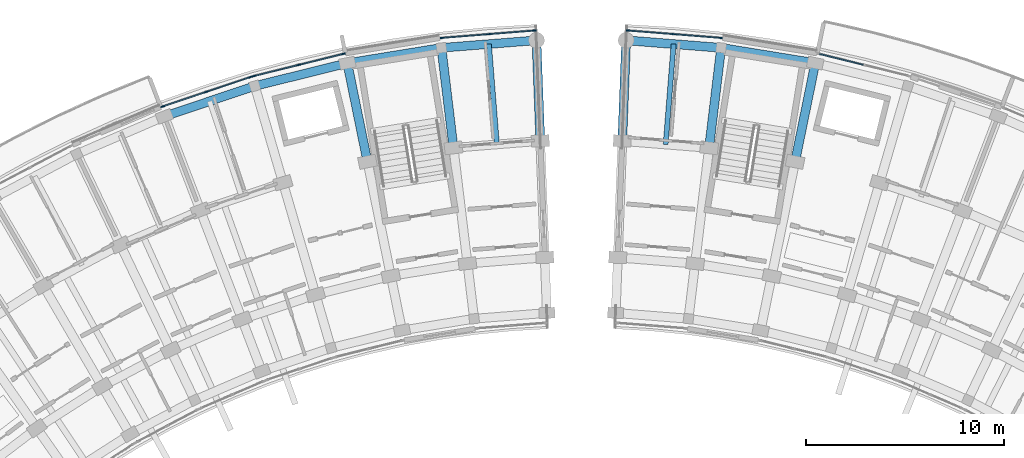
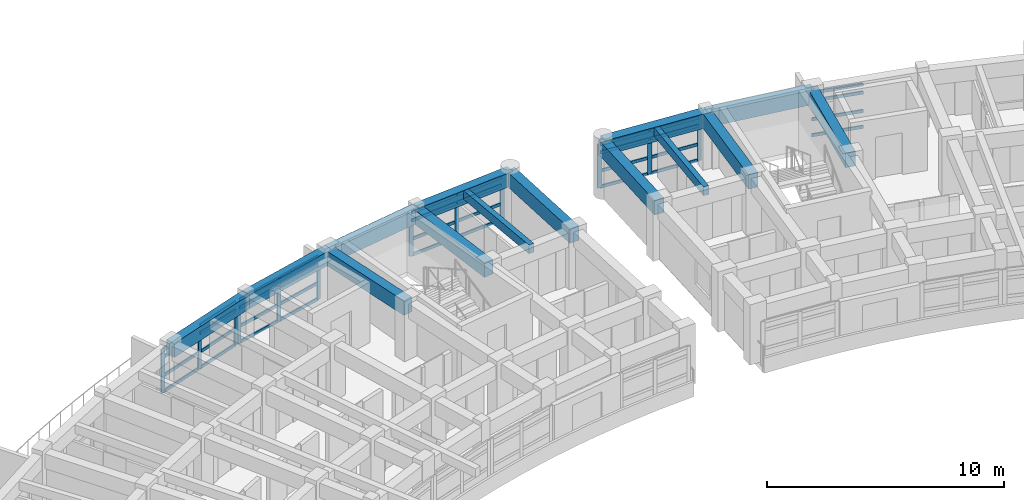
# One storey, part 19 of 70: 48 members, 14 beams, 5 elements without a shape of their own.
"""IFC4 building model written with IfcOpenShell, lengths in metres."""

import ifcopenshell
import ifcopenshell.guid

model = None  # the IFC model being written
_history = None  # IfcOwnerHistory: only IFC2X3 demands one
_inside = {}  # id of a spatial element -> (the spatial element, [elements in it])
_under = {}  # id of a project, library or spatial element -> (it, [spatial elements below it])
_declared = {}  # id of a project -> (the project, [libraries it declares])
_typed = {}  # id of a type object -> (the type object, [elements of that type])
_made_of = {}  # id of a material, layer set ... -> (it, [elements and type objects made of it])


def new_model(schema):
    """Start an empty IFC model of exactly this schema.

    Asked for "IFC4X3", IfcOpenShell would pick the latest addendum, in which some entities
    have other attributes; the version numbers below select the first issue.
    IFC2X3 requires an IfcOwnerHistory on every rooted entity: one is made here for all.
    """
    global model, _history
    if schema == "IFC4X3":
        model = ifcopenshell.file(schema_version=(4, 3, 0, 0))
    else:
        model = ifcopenshell.file(schema=schema)
    _inside.clear()
    _under.clear()
    _declared.clear()
    _typed.clear()
    _made_of.clear()
    _history = None
    if model.schema == "IFC2X3":
        org = make("IfcOrganization", Name="unknown")
        user = make(
            "IfcPersonAndOrganization",
            ThePerson=make("IfcPerson", FamilyName="unknown"),
            TheOrganization=org,
        )
        app = make(
            "IfcApplication",
            ApplicationDeveloper=org,
            Version="unknown",
            ApplicationFullName="unknown",
            ApplicationIdentifier="unknown",
        )
        _history = make(
            "IfcOwnerHistory",
            OwningUser=user,
            OwningApplication=app,
            ChangeAction="ADDED",
            CreationDate=0,
        )
    return model


def make(cls, **values):
    """One entity of the class cls with the attributes given. An attribute that is None is left unset."""
    return model.create_entity(
        cls, **{name: value for name, value in values.items() if value is not None}
    )


def rooted(cls, **values):
    """An entity with a GlobalId (a new one), such as an element, a storey or a relation."""
    return make(cls, GlobalId=ifcopenshell.guid.new(), OwnerHistory=_history, **values)


def si_unit(unit_type, name, prefix=None):
    """IfcSIUnit, for example si_unit("LENGTHUNIT", "METRE", prefix="MILLI")."""
    return make("IfcSIUnit", UnitType=unit_type, Prefix=prefix, Name=name)


def assignment(units):
    """IfcUnitAssignment: the units of a project."""
    return None if units is None else make("IfcUnitAssignment", Units=units)


def point(xyz):
    """IfcCartesianPoint."""
    return None if xyz is None else make("IfcCartesianPoint", Coordinates=xyz)


def direction(xyz):
    """IfcDirection."""
    return None if xyz is None else make("IfcDirection", DirectionRatios=xyz)


def frame(location, z_axis=None, x_axis=None):
    """IfcAxis2Placement3D, a coordinate frame: its origin and axes. An axis left out is left unset."""
    return make(
        "IfcAxis2Placement3D",
        Location=point(location),
        Axis=direction(z_axis),
        RefDirection=direction(x_axis),
    )


def frame_2d(location, x_axis=None):
    """IfcAxis2Placement2D, a coordinate frame in the plane: its origin and x axis."""
    return make(
        "IfcAxis2Placement2D", Location=point(location), RefDirection=direction(x_axis)
    )


def origin():
    """The frame at (0, 0, 0) with its axes left unset."""
    return frame((0.0, 0.0, 0.0))


def origin_2d():
    """The frame at (0, 0) in the plane with its x axis left unset."""
    return frame_2d((0.0, 0.0))


def place(relative_to, where):
    """IfcLocalPlacement: puts the frame where relative to a parent placement (None: the world)."""
    return make(
        "IfcLocalPlacement", PlacementRelTo=relative_to, RelativePlacement=where
    )


def context(
    kind, dimensions, precision=None, world=None, true_north=None, identifier=None
):
    """IfcGeometricRepresentationContext, for example the 3D "Model" context."""
    return make(
        "IfcGeometricRepresentationContext",
        ContextIdentifier=identifier,
        ContextType=kind,
        CoordinateSpaceDimension=dimensions,
        Precision=precision,
        WorldCoordinateSystem=world,
        TrueNorth=true_north,
    )


def subcontext(parent, identifier, kind, view, scale=None):
    """IfcGeometricRepresentationSubContext, for example "Body" below "Model"."""
    return make(
        "IfcGeometricRepresentationSubContext",
        ContextIdentifier=identifier,
        ContextType=kind,
        ParentContext=parent,
        TargetScale=scale,
        TargetView=view,
    )


def project(units=None, contexts=None):
    """IfcProject with its units and contexts."""
    return rooted(
        "IfcProject",
        Name="project",
        RepresentationContexts=contexts,
        UnitsInContext=assignment(units),
    )


def spatial(cls, under=None, at=None, **own):
    """A site, building, storey or space (cls), placed at a placement, below another one or the project."""
    s = rooted(cls, ObjectPlacement=at, **own)
    if under is not None:
        _under.setdefault(under.id(), (under, []))[1].append(s)
    return s


def profile(cls, at=None, kind="AREA", **sizes):
    """A parametric profile (cls). Its sizes go by their IFC names, for example OverallWidth=200.0."""
    return make(cls, ProfileType=kind, Position=at, **sizes)


def rectangle(**sizes):
    """IfcRectangleProfileDef."""
    return profile("IfcRectangleProfileDef", **sizes)


def extrude(swept, where, along, depth):
    """IfcExtrudedAreaSolid: the profile swept, set in the frame where, extruded along a direction by depth."""
    return make(
        "IfcExtrudedAreaSolid",
        SweptArea=swept,
        Position=where,
        ExtrudedDirection=direction(along),
        Depth=depth,
    )


def shape(context_of_items, identifier, shape_type, items):
    """IfcShapeRepresentation: the items that make up one representation, for example the "Body"."""
    return make(
        "IfcShapeRepresentation",
        ContextOfItems=context_of_items,
        RepresentationIdentifier=identifier,
        RepresentationType=shape_type,
        Items=items,
    )


def material(Name=None, Category=None):
    """IfcMaterial."""
    return make("IfcMaterial", Name=Name, Category=Category)


def material_profile(
    of_material, cross_section, Name=None, Category=None, Priority=None
):
    """IfcMaterialProfile: a cross section and its material."""
    return make(
        "IfcMaterialProfile",
        Name=Name,
        Material=of_material,
        Profile=cross_section,
        Priority=Priority,
        Category=Category,
    )


def profile_set(profiles, Name=None, composite=None):
    """IfcMaterialProfileSet."""
    return make(
        "IfcMaterialProfileSet",
        Name=Name,
        MaterialProfiles=profiles,
        CompositeProfile=composite,
    )


def made_of(thing, what):
    """Note that an element or type object is made of a material, layer set ...; save() writes the relation."""
    if what is not None:
        _made_of.setdefault(what.id(), (what, []))[1].append(thing)
    return thing


def type_object(cls, material=None, **own):
    """A type object (cls), such as IfcWallType, which elements share."""
    return made_of(rooted(cls, **own), material)


def element(
    cls,
    number,
    at=None,
    inside=None,
    cuts=None,
    type_object=None,
    material=None,
    context=None,
    identifier="Body",
    shape_type=None,
    held_by="IfcProductDefinitionShape",
    body=None,
    shapes=None,
    **own,
):
    """One element of the class cls, such as IfcWall. Its Tag is "e" and its number.

    at: its placement. inside: the storey or other place that contains it. cuts: it is an
    opening in that element (IfcRelVoidsElement). A single representation is given by context,
    identifier, shape_type and body (its items); several are given by shapes. held_by: the class
    of the entity that holds the representations. save() writes the other relations.
    """
    e = rooted(cls, Tag="e%d" % number, ObjectPlacement=at, **own)
    if body is not None:
        shapes = [shape(context, identifier, shape_type, body)]
    if shapes is not None:
        e.Representation = make(held_by, Representations=shapes)
    if inside is not None:
        _inside.setdefault(inside.id(), (inside, []))[1].append(e)
    if cuts is not None:
        rooted(
            "IfcRelVoidsElement", RelatingBuildingElement=cuts, RelatedOpeningElement=e
        )
    if type_object is not None:
        _typed.setdefault(type_object.id(), (type_object, []))[1].append(e)
    return made_of(e, material)


def aggregate(whole, parts):
    """IfcRelAggregates: a whole, such as a stair, and the parts it consists of."""
    return rooted("IfcRelAggregates", RelatingObject=whole, RelatedObjects=parts)


def save(model, path):
    """Write the relations noted so far, then the file.

    IfcRelAggregates (storeys below a building ...), IfcRelContainedInSpatialStructure (elements
    in a storey), IfcRelDefinesByType, IfcRelAssociatesMaterial and IfcRelDeclares: one each for
    every whole, place, type object, material and project.
    """
    for whole, parts in _under.values():
        aggregate(whole, parts)
    for where, things in _inside.values():
        rooted(
            "IfcRelContainedInSpatialStructure",
            RelatedElements=things,
            RelatingStructure=where,
        )
    for kind, things in _typed.values():
        rooted("IfcRelDefinesByType", RelatedObjects=things, RelatingType=kind)
    for what, things in _made_of.values():
        rooted("IfcRelAssociatesMaterial", RelatedObjects=things, RelatingMaterial=what)
    for by, libraries in _declared.values():
        rooted("IfcRelDeclares", RelatingContext=by, RelatedDefinitions=libraries)
    model.write(path)


model = new_model("IFC4")

# Units and contexts
model_context = context("Model", 3, precision=1e-05, world=origin(), true_north=direction((0.0, 1.0)))
body_context = subcontext(model_context, "Body", "Model", "MODEL_VIEW")
ifc_project = project(units=[si_unit("LENGTHUNIT", "METRE"), si_unit("AREAUNIT", "SQUARE_METRE"), si_unit("VOLUMEUNIT", "CUBIC_METRE"), si_unit("PLANEANGLEUNIT", "RADIAN"), si_unit("MASSUNIT", "GRAM", prefix="KILO")], contexts=[model_context])

# Site, building, storey
site_placement = place(None, origin())
site = spatial("IfcSite", under=ifc_project, at=site_placement, CompositionType="ELEMENT")
building_placement = place(site_placement, origin())
building = spatial("IfcBuilding", under=site, at=building_placement, Name="Zimvara Arc Housing Community", CompositionType="ELEMENT")
storey_placement = place(building_placement, frame((0.0, 0.0, 8.10009765625)))
storey = spatial("IfcBuildingStorey", under=building, at=storey_placement, Name="L02", CompositionType="ELEMENT", Elevation=8.10009765625)

# Beams
ifc_material_1 = material(Name="Concrete C40/50", Category="concrete")
ifc_material_profile_1 = material_profile(ifc_material_1, rectangle(XDim=0.25, YDim=0.449951171875, at=origin_2d()), Name="RC 250x450")
ifc_profile_set_1 = profile_set([ifc_material_profile_1], Name="Concrete C40/50")
beam_type_1 = type_object("IfcBeamType", Name="BM-RC-250x450", PredefinedType="JOIST", material=ifc_profile_set_1)
for number, where, z_axis, x_axis, name in (
    (1, (40.7451171875, 98.08642578125, 2.65478515625), (-0.079171686291, 0.99686099537, 0.0), (-0.99686099537, -0.079171686291, 0.0), "bm:blkA:L02:joist:b9"),
    (2, (49.2548828125, 98.08642578125, 2.65478515625), (0.079171686291, 0.99686099537, 0.0), (-0.99686099537, 0.079171686291, 0.0), "bm:blkB:L02:joist:b0"),
):
    element("IfcBeam", number, at=place(storey_placement, frame(where, z_axis=z_axis, x_axis=x_axis)), inside=storey, type_object=beam_type_1, Name=name, PredefinedType="JOIST", context=body_context, shape_type="SweptSolid", body=[
        extrude(rectangle(XDim=0.25, YDim=0.449951171875, at=origin_2d()), origin(), (0.0, 0.0, 1.0), 5.07568359375),
    ])
ifc_material_2 = material(Name="Concrete C40/50", Category="concrete")
ifc_material_profile_2 = material_profile(ifc_material_2, rectangle(XDim=0.43994140625, YDim=0.719970703125, at=origin_2d()), Name="RC 440x720")
ifc_profile_set_2 = profile_set([ifc_material_profile_2], Name="Concrete C40/50")
beam_type_2 = type_object("IfcBeamType", Name="BM-RC-440x720", PredefinedType="BEAM", material=ifc_profile_set_2)
beam_1_placement = place(storey_placement, frame((23.97607421875, 99.49853515625, 2.52001953125), z_axis=(0.947877948153, 0.31863363822, 0.0), x_axis=(-0.31863363822, 0.947877948153, 0.0)))
element("IfcBeam", 3, at=beam_1_placement, inside=storey, type_object=beam_type_2, Name="bm:blkA:L02:chord:r3:b6", PredefinedType="BEAM", context=body_context, shape_type="SweptSolid", body=[
    extrude(rectangle(XDim=0.43994140625, YDim=0.719970703125, at=origin_2d()), origin(), (0.0, 0.0, 1.0), 4.807861328125),
])
beam_2_placement = place(storey_placement, frame((28.533447265625, 101.030517578125, 2.52001953125), z_axis=(0.970716235341, 0.240229037474, 0.0), x_axis=(-0.240229037474, 0.970716235341, 0.0)))
element("IfcBeam", 4, at=beam_2_placement, inside=storey, type_object=beam_type_2, Name="bm:blkA:L02:chord:r3:b7", PredefinedType="BEAM", context=body_context, shape_type="SweptSolid", body=[
    extrude(rectangle(XDim=0.43994140625, YDim=0.719970703125, at=origin_2d()), origin(), (0.0, 0.0, 1.0), 4.80810546875),
])
beam_3_placement = place(storey_placement, frame((33.20068359375, 102.185546875, 2.52001953125), z_axis=(0.987076839731, 0.160247659784, 0.0), x_axis=(-0.160247659784, 0.987076839731, 0.0)))
element("IfcBeam", 5, at=beam_3_placement, inside=storey, type_object=beam_type_2, Name="bm:blkA:L02:chord:r3:b8", PredefinedType="BEAM", context=body_context, shape_type="SweptSolid", body=[
    extrude(rectangle(XDim=0.43994140625, YDim=0.719970703125, at=origin_2d()), origin(), (0.0, 0.0, 1.0), 4.808349609375),
])
beam_4_placement = place(storey_placement, frame((37.94677734375, 102.9560546875, 2.52001953125), z_axis=(0.996861768207, 0.0791619548, 0.0), x_axis=(-0.0791619548, 0.996861768207, 0.0)))
element("IfcBeam", 6, at=beam_4_placement, inside=storey, type_object=beam_type_2, Name="bm:blkA:L02:chord:r3:b9", PredefinedType="BEAM", context=body_context, shape_type="SweptSolid", body=[
    extrude(rectangle(XDim=0.43994140625, YDim=0.719970703125, at=origin_2d()), origin(), (0.0, 0.0, 1.0), 4.80810546875),
])
ifc_material_3 = material(Name="Concrete C40/50", Category="concrete")
ifc_material_profile_3 = material_profile(ifc_material_3, rectangle(XDim=0.449951171875, YDim=0.75, at=origin_2d()), Name="RC 450x750")
ifc_profile_set_3 = profile_set([ifc_material_profile_3], Name="Concrete C40/50")
beam_type_3 = type_object("IfcBeamType", Name="BM-RC-450x750", PredefinedType="BEAM", material=ifc_profile_set_3)
beam_5_placement = place(storey_placement, frame((34.21875, 97.208740234375, 2.5048828125), z_axis=(-0.200411962389, 0.97971171542, 0.0), x_axis=(-0.97971171542, -0.200411962389, 0.0)))
element("IfcBeam", 7, at=beam_5_placement, inside=storey, type_object=beam_type_3, Name="bm:blkA:L02:rad:b8:r23", PredefinedType="BEAM", context=body_context, shape_type="SweptSolid", body=[
    extrude(rectangle(XDim=0.449951171875, YDim=0.75, at=origin_2d()), origin(), (0.0, 0.0, 1.0), 5.079833984375),
])
for number, where, z_axis, x_axis, name in (
    (8, (38.55517578125, 97.91259765625, 2.5048828125), (-0.119762990499, 0.99280251113, 0.0), (-0.99280251113, -0.119762990499, 0.0), "bm:blkA:L02:rad:b9:r23"),
    (9, (42.934814453125, 98.26025390625, 2.5048828125), (-0.038398054907, 0.999262522753, 0.0), (-0.999262522753, -0.038398054907, 0.0), "bm:blkA:L02:rad:b10:r23"),
):
    element("IfcBeam", number, at=place(storey_placement, frame(where, z_axis=z_axis, x_axis=x_axis)), inside=storey, type_object=beam_type_3, Name=name, PredefinedType="BEAM", context=body_context, shape_type="SweptSolid", body=[
        extrude(rectangle(XDim=0.449951171875, YDim=0.75, at=origin_2d()), origin(), (0.0, 0.0, 1.0), 5.080078125),
    ])
beam_6_placement = place(storey_placement, frame((47.26025390625, 103.336669921875, 2.5048828125), z_axis=(0.996861768207, -0.0791619548, 0.0), x_axis=(0.0791619548, 0.996861768207, 0.0)))
element("IfcBeam", 10, at=beam_6_placement, inside=storey, type_object=beam_type_3, Name="bm:blkB:L02:chord:r3:b0", PredefinedType="BEAM", context=body_context, shape_type="SweptSolid", body=[
    extrude(rectangle(XDim=0.449951171875, YDim=0.75, at=origin_2d()), origin(), (0.0, 0.0, 1.0), 4.80810546875),
])
beam_7_placement = place(storey_placement, frame((52.05322265625, 102.9560546875, 2.5048828125), z_axis=(0.987076839731, -0.160247659784, 0.0), x_axis=(0.160247659784, 0.987076839731, 0.0)))
element("IfcBeam", 11, at=beam_7_placement, inside=storey, type_object=beam_type_3, Name="bm:blkB:L02:chord:r3:b1", PredefinedType="BEAM", context=body_context, shape_type="SweptSolid", body=[
    extrude(rectangle(XDim=0.449951171875, YDim=0.75, at=origin_2d()), origin(), (0.0, 0.0, 1.0), 4.808349609375),
])
for number, where, z_axis, x_axis, name in (
    (12, (47.065185546875, 98.26025390625, 2.5048828125), (0.038398054907, 0.999262522753, 0.0), (-0.999262522753, 0.038398054907, 0.0), "bm:blkB:L02:rad:b0:r23"),
    (13, (51.44482421875, 97.91259765625, 2.5048828125), (0.119762990499, 0.99280251113, 0.0), (-0.99280251113, 0.119762990499, 0.0), "bm:blkB:L02:rad:b1:r23"),
):
    element("IfcBeam", number, at=place(storey_placement, frame(where, z_axis=z_axis, x_axis=x_axis)), inside=storey, type_object=beam_type_3, Name=name, PredefinedType="BEAM", context=body_context, shape_type="SweptSolid", body=[
        extrude(rectangle(XDim=0.449951171875, YDim=0.75, at=origin_2d()), origin(), (0.0, 0.0, 1.0), 5.080078125),
    ])
beam_8_placement = place(storey_placement, frame((55.78125, 97.208740234375, 2.5048828125), z_axis=(0.200411962389, 0.97971171542, 0.0), x_axis=(-0.97971171542, 0.200411962389, 0.0)))
element("IfcBeam", 14, at=beam_8_placement, inside=storey, type_object=beam_type_3, Name="bm:blkB:L02:rad:b2:r23", PredefinedType="BEAM", context=body_context, shape_type="SweptSolid", body=[
    extrude(rectangle(XDim=0.449951171875, YDim=0.75, at=origin_2d()), origin(), (0.0, 0.0, 1.0), 5.079833984375),
])

# Curtain wall, members
ifc_material_4 = material(Name="Anodised Aluminium AW-6063", Category="aluminium")
curtain_wall_type_1 = type_object("IfcCurtainWallType", Name="CW-SYS-01", PredefinedType="USERDEFINED", material=ifc_material_4)
curtain_wall_1_placement = place(storey_placement, origin())
curtain_wall_1 = element("IfcCurtainWall", 15, at=curtain_wall_1_placement, inside=storey, type_object=curtain_wall_type_1, Name="cw:blkA:L02:out:b6", ObjectType="CURTAIN WALL", PredefinedType="USERDEFINED")
ifc_material_5 = material(Name="Anodised Aluminium AW-6063", Category="aluminium")
ifc_material_profile_4 = material_profile(ifc_material_5, rectangle(XDim=0.06494140625, YDim=0.195068359375, at=origin_2d()), Name="ALU 65x195")
ifc_profile_set_4 = profile_set([ifc_material_profile_4], Name="Anodised Aluminium AW-6063")
member_type_1 = type_object("IfcMemberType", Name="CWM-65x180", PredefinedType="MULLION", material=ifc_profile_set_4)
member_1_placement = place(storey_placement, frame((23.88525390625, 99.9951171875, 0.0), z_axis=(0.0, 0.0, 1.0), x_axis=(-0.318628583921, 0.947879647164, 0.0)))
member_1 = element("IfcMember", 16, at=member_1_placement, type_object=member_type_1, Name="CW01 mullion 1", PredefinedType="MULLION", context=body_context, shape_type="SweptSolid", body=[
    extrude(rectangle(XDim=0.06494140625, YDim=0.195068359375, at=origin_2d()), origin(), (0.0, 0.0, 1.0), 2.25),
])
member_2_placement = place(storey_placement, frame((26.095703125, 100.73828125, 0.0), z_axis=(0.0, 0.0, 1.0), x_axis=(-0.318628583921, 0.947879647164, 0.0)))
member_2 = element("IfcMember", 17, at=member_2_placement, type_object=member_type_1, Name="CW01 mullion 2", PredefinedType="MULLION", context=body_context, shape_type="SweptSolid", body=[
    extrude(rectangle(XDim=0.06494140625, YDim=0.195068359375, at=origin_2d()), origin(), (0.0, 0.0, 1.0), 2.25),
])
member_3_placement = place(storey_placement, frame((28.305908203125, 101.481201171875, 0.0), z_axis=(0.0, 0.0, 1.0), x_axis=(-0.318628583921, 0.947879647164, 0.0)))
member_3 = element("IfcMember", 18, at=member_3_placement, type_object=member_type_1, Name="CW01 mullion 3", PredefinedType="MULLION", context=body_context, shape_type="SweptSolid", body=[
    extrude(rectangle(XDim=0.06494140625, YDim=0.195068359375, at=origin_2d()), origin(), (0.0, 0.0, 1.0), 2.25),
])

ifc_material_6 = material(Name="Anodised Aluminium AW-6063", Category="aluminium")
curtain_wall_type_2 = type_object("IfcCurtainWallType", Name="CW-SYS-03", PredefinedType="USERDEFINED", material=ifc_material_6)
curtain_wall_2_placement = place(storey_placement, origin())
curtain_wall_2 = element("IfcCurtainWall", 19, at=curtain_wall_2_placement, inside=storey, type_object=curtain_wall_type_2, Name="cw:blkA:L02:out:b7", ObjectType="CURTAIN WALL", PredefinedType="USERDEFINED")
member_4_placement = place(storey_placement, frame((28.4833984375, 101.532958984375, 0.0), z_axis=(0.0, 0.0, 1.0), x_axis=(-0.240229711131, 0.970716068627, 0.0)))
member_4 = element("IfcMember", 20, at=member_4_placement, type_object=member_type_1, Name="CW03 mullion 1", PredefinedType="MULLION", context=body_context, shape_type="SweptSolid", body=[
    extrude(rectangle(XDim=0.06494140625, YDim=0.195068359375, at=origin_2d()), origin(), (0.0, 0.0, 1.0), 2.25),
])
member_5_placement = place(storey_placement, frame((30.7470703125, 102.093017578125, 0.0), z_axis=(0.0, 0.0, 1.0), x_axis=(-0.240229711131, 0.970716068627, 0.0)))
member_5 = element("IfcMember", 21, at=member_5_placement, type_object=member_type_1, Name="CW03 mullion 2", PredefinedType="MULLION", context=body_context, shape_type="SweptSolid", body=[
    extrude(rectangle(XDim=0.06494140625, YDim=0.195068359375, at=origin_2d()), origin(), (0.0, 0.0, 1.0), 2.25),
])
member_6_placement = place(storey_placement, frame((33.0107421875, 102.6533203125, 0.0), z_axis=(0.0, 0.0, 1.0), x_axis=(-0.240229711131, 0.970716068627, 0.0)))
member_6 = element("IfcMember", 22, at=member_6_placement, type_object=member_type_1, Name="CW03 mullion 3", PredefinedType="MULLION", context=body_context, shape_type="SweptSolid", body=[
    extrude(rectangle(XDim=0.06494140625, YDim=0.195068359375, at=origin_2d()), origin(), (0.0, 0.0, 1.0), 2.25),
])

ifc_material_7 = material(Name="Anodised Aluminium AW-6063", Category="aluminium")
curtain_wall_type_3 = type_object("IfcCurtainWallType", Name="CW-SYS-05", PredefinedType="USERDEFINED", material=ifc_material_7)
curtain_wall_3_placement = place(storey_placement, origin())
curtain_wall_3 = element("IfcCurtainWall", 23, at=curtain_wall_3_placement, inside=storey, type_object=curtain_wall_type_3, Name="cw:blkA:L02:out:b9", ObjectType="CURTAIN WALL", PredefinedType="USERDEFINED")
member_7_placement = place(storey_placement, frame((37.97900390625, 103.459716796875, 0.0), z_axis=(0.0, 0.0, 1.0), x_axis=(-0.079153759607, 0.996862418963, 0.0)))
member_7 = element("IfcMember", 24, at=member_7_placement, type_object=member_type_1, Name="CW05 mullion 1", PredefinedType="MULLION", context=body_context, shape_type="SweptSolid", body=[
    extrude(rectangle(XDim=0.06494140625, YDim=0.195068359375, at=origin_2d()), origin(), (0.0, 0.0, 1.0), 2.25),
])
member_8_placement = place(storey_placement, frame((40.3037109375, 103.644287109375, 0.0), z_axis=(0.0, 0.0, 1.0), x_axis=(-0.079153759607, 0.996862418963, 0.0)))
member_8 = element("IfcMember", 25, at=member_8_placement, type_object=member_type_1, Name="CW05 mullion 2", PredefinedType="MULLION", context=body_context, shape_type="SweptSolid", body=[
    extrude(rectangle(XDim=0.06494140625, YDim=0.195068359375, at=origin_2d()), origin(), (0.0, 0.0, 1.0), 2.25),
])
member_9_placement = place(storey_placement, frame((42.62841796875, 103.828857421875, 0.0), z_axis=(0.0, 0.0, 1.0), x_axis=(-0.079153759607, 0.996862418963, 0.0)))
member_9 = element("IfcMember", 26, at=member_9_placement, type_object=member_type_1, Name="CW05 mullion 3", PredefinedType="MULLION", context=body_context, shape_type="SweptSolid", body=[
    extrude(rectangle(XDim=0.06494140625, YDim=0.195068359375, at=origin_2d()), origin(), (0.0, 0.0, 1.0), 2.25),
])

curtain_wall_4_placement = place(storey_placement, origin())
curtain_wall_4 = element("IfcCurtainWall", 27, at=curtain_wall_4_placement, inside=storey, type_object=curtain_wall_type_1, Name="cw:blkB:L02:out:b0", ObjectType="CURTAIN WALL", PredefinedType="USERDEFINED")
member_10_placement = place(storey_placement, frame((47.37158203125, 103.828857421875, 0.0), z_axis=(0.0, 0.0, 1.0), x_axis=(0.079153759607, 0.996862418963, 0.0)))
member_10 = element("IfcMember", 28, at=member_10_placement, type_object=member_type_1, Name="CW01 mullion 1", PredefinedType="MULLION", context=body_context, shape_type="SweptSolid", body=[
    extrude(rectangle(XDim=0.06494140625, YDim=0.195068359375, at=origin_2d()), origin(), (0.0, 0.0, 1.0), 2.25),
])
member_11_placement = place(storey_placement, frame((49.6962890625, 103.644287109375, 0.0), z_axis=(0.0, 0.0, 1.0), x_axis=(0.079153759607, 0.996862418963, 0.0)))
member_11 = element("IfcMember", 29, at=member_11_placement, type_object=member_type_1, Name="CW01 mullion 2", PredefinedType="MULLION", context=body_context, shape_type="SweptSolid", body=[
    extrude(rectangle(XDim=0.06494140625, YDim=0.195068359375, at=origin_2d()), origin(), (0.0, 0.0, 1.0), 2.25),
])
member_12_placement = place(storey_placement, frame((52.02099609375, 103.459716796875, 0.0), z_axis=(0.0, 0.0, 1.0), x_axis=(0.079153759607, 0.996862418963, 0.0)))
member_12 = element("IfcMember", 30, at=member_12_placement, type_object=member_type_1, Name="CW01 mullion 3", PredefinedType="MULLION", context=body_context, shape_type="SweptSolid", body=[
    extrude(rectangle(XDim=0.06494140625, YDim=0.195068359375, at=origin_2d()), origin(), (0.0, 0.0, 1.0), 2.25),
])

# Member
ifc_material_8 = material(Name="Anodised Aluminium AW-6063", Category="aluminium")
ifc_material_profile_5 = material_profile(ifc_material_8, rectangle(XDim=0.06494140625, YDim=0.155029296875, at=origin_2d()), Name="ALU 65x155")
ifc_profile_set_5 = profile_set([ifc_material_profile_5], Name="Anodised Aluminium AW-6063")
member_type_2 = type_object("IfcMemberType", Name="CWT-65x140", PredefinedType="USERDEFINED", material=ifc_profile_set_5)
member_13_placement = place(storey_placement, frame((23.916015625, 100.00537109375, 0.032470703125), z_axis=(0.947861605379, 0.318682250916, 0.0), x_axis=(-0.318682250916, 0.947861605379, 0.0)))
member_13 = element("IfcMember", 31, at=member_13_placement, type_object=member_type_2, Name="CW01 transom 1.1", ObjectType="TRANSOM", PredefinedType="USERDEFINED", context=body_context, shape_type="SweptSolid", body=[
    extrude(rectangle(XDim=0.06494140625, YDim=0.155029296875, at=origin_2d()), origin(), (0.0, 0.0, 1.0), 2.266845703125),
])

member_14_placement = place(storey_placement, frame((23.916015625, 100.00537109375, 0.849853515625), z_axis=(0.947861605379, 0.318682250916, 0.0), x_axis=(-0.318682250916, 0.947861605379, 0.0)))
member_14 = element("IfcMember", 32, at=member_14_placement, type_object=member_type_2, Name="CW01 transom 1.2", ObjectType="TRANSOM", PredefinedType="USERDEFINED", context=body_context, shape_type="SweptSolid", body=[
    extrude(rectangle(XDim=0.06494140625, YDim=0.155029296875, at=origin_2d()), origin(), (0.0, 0.0, 1.0), 2.266845703125),
])

member_15_placement = place(storey_placement, frame((23.916015625, 100.00537109375, 1.7998046875), z_axis=(0.947861605379, 0.318682250916, 0.0), x_axis=(-0.318682250916, 0.947861605379, 0.0)))
member_15 = element("IfcMember", 33, at=member_15_placement, type_object=member_type_2, Name="CW01 transom 1.3", ObjectType="TRANSOM", PredefinedType="USERDEFINED", context=body_context, shape_type="SweptSolid", body=[
    extrude(rectangle(XDim=0.06494140625, YDim=0.155029296875, at=origin_2d()), origin(), (0.0, 0.0, 1.0), 2.266845703125),
])

member_16_placement = place(storey_placement, frame((23.916015625, 100.00537109375, 2.21728515625), z_axis=(0.947861605379, 0.318682250916, 0.0), x_axis=(-0.318682250916, 0.947861605379, 0.0)))
member_16 = element("IfcMember", 34, at=member_16_placement, type_object=member_type_2, Name="CW01 transom 1.4", ObjectType="TRANSOM", PredefinedType="USERDEFINED", context=body_context, shape_type="SweptSolid", body=[
    extrude(rectangle(XDim=0.06494140625, YDim=0.155029296875, at=origin_2d()), origin(), (0.0, 0.0, 1.0), 2.266845703125),
])

member_17_placement = place(storey_placement, frame((26.12646484375, 100.74853515625, 0.032470703125), z_axis=(0.947861605379, 0.318682250916, 0.0), x_axis=(-0.318682250916, 0.947861605379, 0.0)))
member_17 = element("IfcMember", 35, at=member_17_placement, type_object=member_type_2, Name="CW01 transom 2.1", ObjectType="TRANSOM", PredefinedType="USERDEFINED", context=body_context, shape_type="SweptSolid", body=[
    extrude(rectangle(XDim=0.06494140625, YDim=0.155029296875, at=origin_2d()), origin(), (0.0, 0.0, 1.0), 2.266845703125),
])

member_18_placement = place(storey_placement, frame((26.12646484375, 100.74853515625, 0.849853515625), z_axis=(0.947861605379, 0.318682250916, 0.0), x_axis=(-0.318682250916, 0.947861605379, 0.0)))
member_18 = element("IfcMember", 36, at=member_18_placement, type_object=member_type_2, Name="CW01 transom 2.2", ObjectType="TRANSOM", PredefinedType="USERDEFINED", context=body_context, shape_type="SweptSolid", body=[
    extrude(rectangle(XDim=0.06494140625, YDim=0.155029296875, at=origin_2d()), origin(), (0.0, 0.0, 1.0), 2.266845703125),
])

member_19_placement = place(storey_placement, frame((26.12646484375, 100.74853515625, 1.7998046875), z_axis=(0.947861605379, 0.318682250916, 0.0), x_axis=(-0.318682250916, 0.947861605379, 0.0)))
member_19 = element("IfcMember", 37, at=member_19_placement, type_object=member_type_2, Name="CW01 transom 2.3", ObjectType="TRANSOM", PredefinedType="USERDEFINED", context=body_context, shape_type="SweptSolid", body=[
    extrude(rectangle(XDim=0.06494140625, YDim=0.155029296875, at=origin_2d()), origin(), (0.0, 0.0, 1.0), 2.266845703125),
])

member_20_placement = place(storey_placement, frame((26.12646484375, 100.74853515625, 2.21728515625), z_axis=(0.947861605379, 0.318682250916, 0.0), x_axis=(-0.318682250916, 0.947861605379, 0.0)))
member_20 = element("IfcMember", 38, at=member_20_placement, type_object=member_type_2, Name="CW01 transom 2.4", ObjectType="TRANSOM", PredefinedType="USERDEFINED", context=body_context, shape_type="SweptSolid", body=[
    extrude(rectangle(XDim=0.06494140625, YDim=0.155029296875, at=origin_2d()), origin(), (0.0, 0.0, 1.0), 2.266845703125),
])

aggregate(curtain_wall_1, [member_1, member_2, member_3, member_13, member_14, member_15, member_16, member_17, member_18, member_19, member_20])

member_21_placement = place(storey_placement, frame((28.51513671875, 101.540771484375, 0.032470703125), z_axis=(0.970728837212, 0.240178110172, 0.0), x_axis=(-0.240178110172, 0.970728837212, 0.0)))
member_21 = element("IfcMember", 39, at=member_21_placement, type_object=member_type_2, Name="CW03 transom 1.1", ObjectType="TRANSOM", PredefinedType="USERDEFINED", context=body_context, shape_type="SweptSolid", body=[
    extrude(rectangle(XDim=0.06494140625, YDim=0.155029296875, at=origin_2d()), origin(), (0.0, 0.0, 1.0), 2.266845703125),
])

member_22_placement = place(storey_placement, frame((28.51513671875, 101.540771484375, 0.849853515625), z_axis=(0.970728837212, 0.240178110172, 0.0), x_axis=(-0.240178110172, 0.970728837212, 0.0)))
member_22 = element("IfcMember", 40, at=member_22_placement, type_object=member_type_2, Name="CW03 transom 1.2", ObjectType="TRANSOM", PredefinedType="USERDEFINED", context=body_context, shape_type="SweptSolid", body=[
    extrude(rectangle(XDim=0.06494140625, YDim=0.155029296875, at=origin_2d()), origin(), (0.0, 0.0, 1.0), 2.266845703125),
])

member_23_placement = place(storey_placement, frame((28.51513671875, 101.540771484375, 1.7998046875), z_axis=(0.970728837212, 0.240178110172, 0.0), x_axis=(-0.240178110172, 0.970728837212, 0.0)))
member_23 = element("IfcMember", 41, at=member_23_placement, type_object=member_type_2, Name="CW03 transom 1.3", ObjectType="TRANSOM", PredefinedType="USERDEFINED", context=body_context, shape_type="SweptSolid", body=[
    extrude(rectangle(XDim=0.06494140625, YDim=0.155029296875, at=origin_2d()), origin(), (0.0, 0.0, 1.0), 2.266845703125),
])

member_24_placement = place(storey_placement, frame((28.51513671875, 101.540771484375, 2.21728515625), z_axis=(0.970728837212, 0.240178110172, 0.0), x_axis=(-0.240178110172, 0.970728837212, 0.0)))
member_24 = element("IfcMember", 42, at=member_24_placement, type_object=member_type_2, Name="CW03 transom 1.4", ObjectType="TRANSOM", PredefinedType="USERDEFINED", context=body_context, shape_type="SweptSolid", body=[
    extrude(rectangle(XDim=0.06494140625, YDim=0.155029296875, at=origin_2d()), origin(), (0.0, 0.0, 1.0), 2.266845703125),
])

member_25_placement = place(storey_placement, frame((30.77880859375, 102.100830078125, 0.032470703125), z_axis=(0.970703721793, 0.240279596507, 0.0), x_axis=(-0.240279596507, 0.970703721793, 0.0)))
member_25 = element("IfcMember", 43, at=member_25_placement, type_object=member_type_2, Name="CW03 transom 2.1", ObjectType="TRANSOM", PredefinedType="USERDEFINED", context=body_context, shape_type="SweptSolid", body=[
    extrude(rectangle(XDim=0.06494140625, YDim=0.155029296875, at=origin_2d()), origin(), (0.0, 0.0, 1.0), 2.266845703125),
])

member_26_placement = place(storey_placement, frame((30.77880859375, 102.100830078125, 0.849853515625), z_axis=(0.970703721793, 0.240279596507, 0.0), x_axis=(-0.240279596507, 0.970703721793, 0.0)))
member_26 = element("IfcMember", 44, at=member_26_placement, type_object=member_type_2, Name="CW03 transom 2.2", ObjectType="TRANSOM", PredefinedType="USERDEFINED", context=body_context, shape_type="SweptSolid", body=[
    extrude(rectangle(XDim=0.06494140625, YDim=0.155029296875, at=origin_2d()), origin(), (0.0, 0.0, 1.0), 2.266845703125),
])

member_27_placement = place(storey_placement, frame((30.77880859375, 102.100830078125, 1.7998046875), z_axis=(0.970703721793, 0.240279596507, 0.0), x_axis=(-0.240279596507, 0.970703721793, 0.0)))
member_27 = element("IfcMember", 45, at=member_27_placement, type_object=member_type_2, Name="CW03 transom 2.3", ObjectType="TRANSOM", PredefinedType="USERDEFINED", context=body_context, shape_type="SweptSolid", body=[
    extrude(rectangle(XDim=0.06494140625, YDim=0.155029296875, at=origin_2d()), origin(), (0.0, 0.0, 1.0), 2.266845703125),
])

member_28_placement = place(storey_placement, frame((30.77880859375, 102.100830078125, 2.21728515625), z_axis=(0.970703721793, 0.240279596507, 0.0), x_axis=(-0.240279596507, 0.970703721793, 0.0)))
member_28 = element("IfcMember", 46, at=member_28_placement, type_object=member_type_2, Name="CW03 transom 2.4", ObjectType="TRANSOM", PredefinedType="USERDEFINED", context=body_context, shape_type="SweptSolid", body=[
    extrude(rectangle(XDim=0.06494140625, YDim=0.155029296875, at=origin_2d()), origin(), (0.0, 0.0, 1.0), 2.266845703125),
])

aggregate(curtain_wall_2, [member_4, member_5, member_6, member_21, member_22, member_23, member_24, member_25, member_26, member_27, member_28])

member_29_placement = place(storey_placement, frame((38.011474609375, 103.46240234375, 0.032470703125), z_axis=(0.996862021022, 0.079158771116, 0.0), x_axis=(-0.079158771116, 0.996862021022, 0.0)))
member_29 = element("IfcMember", 47, at=member_29_placement, type_object=member_type_2, Name="CW05 transom 1.1", ObjectType="TRANSOM", PredefinedType="USERDEFINED", context=body_context, shape_type="SweptSolid", body=[
    extrude(rectangle(XDim=0.06494140625, YDim=0.155029296875, at=origin_2d()), origin(), (0.0, 0.0, 1.0), 2.266845703125),
])

member_30_placement = place(storey_placement, frame((38.011474609375, 103.46240234375, 0.849853515625), z_axis=(0.996862021022, 0.079158771116, 0.0), x_axis=(-0.079158771116, 0.996862021022, 0.0)))
member_30 = element("IfcMember", 48, at=member_30_placement, type_object=member_type_2, Name="CW05 transom 1.2", ObjectType="TRANSOM", PredefinedType="USERDEFINED", context=body_context, shape_type="SweptSolid", body=[
    extrude(rectangle(XDim=0.06494140625, YDim=0.155029296875, at=origin_2d()), origin(), (0.0, 0.0, 1.0), 2.266845703125),
])

member_31_placement = place(storey_placement, frame((38.011474609375, 103.46240234375, 1.7998046875), z_axis=(0.996862021022, 0.079158771116, 0.0), x_axis=(-0.079158771116, 0.996862021022, 0.0)))
member_31 = element("IfcMember", 49, at=member_31_placement, type_object=member_type_2, Name="CW05 transom 1.3", ObjectType="TRANSOM", PredefinedType="USERDEFINED", context=body_context, shape_type="SweptSolid", body=[
    extrude(rectangle(XDim=0.06494140625, YDim=0.155029296875, at=origin_2d()), origin(), (0.0, 0.0, 1.0), 2.266845703125),
])

member_32_placement = place(storey_placement, frame((38.011474609375, 103.46240234375, 2.21728515625), z_axis=(0.996862021022, 0.079158771116, 0.0), x_axis=(-0.079158771116, 0.996862021022, 0.0)))
member_32 = element("IfcMember", 50, at=member_32_placement, type_object=member_type_2, Name="CW05 transom 1.4", ObjectType="TRANSOM", PredefinedType="USERDEFINED", context=body_context, shape_type="SweptSolid", body=[
    extrude(rectangle(XDim=0.06494140625, YDim=0.155029296875, at=origin_2d()), origin(), (0.0, 0.0, 1.0), 2.266845703125),
])

member_33_placement = place(storey_placement, frame((40.336181640625, 103.64697265625, 0.032470703125), z_axis=(0.996862021022, 0.079158771116, 0.0), x_axis=(-0.079158771116, 0.996862021022, 0.0)))
member_33 = element("IfcMember", 51, at=member_33_placement, type_object=member_type_2, Name="CW05 transom 2.1", ObjectType="TRANSOM", PredefinedType="USERDEFINED", context=body_context, shape_type="SweptSolid", body=[
    extrude(rectangle(XDim=0.06494140625, YDim=0.155029296875, at=origin_2d()), origin(), (0.0, 0.0, 1.0), 2.266845703125),
])

member_34_placement = place(storey_placement, frame((40.336181640625, 103.64697265625, 0.849853515625), z_axis=(0.996862021022, 0.079158771116, 0.0), x_axis=(-0.079158771116, 0.996862021022, 0.0)))
member_34 = element("IfcMember", 52, at=member_34_placement, type_object=member_type_2, Name="CW05 transom 2.2", ObjectType="TRANSOM", PredefinedType="USERDEFINED", context=body_context, shape_type="SweptSolid", body=[
    extrude(rectangle(XDim=0.06494140625, YDim=0.155029296875, at=origin_2d()), origin(), (0.0, 0.0, 1.0), 2.266845703125),
])

member_35_placement = place(storey_placement, frame((40.336181640625, 103.64697265625, 1.7998046875), z_axis=(0.996862021022, 0.079158771116, 0.0), x_axis=(-0.079158771116, 0.996862021022, 0.0)))
member_35 = element("IfcMember", 53, at=member_35_placement, type_object=member_type_2, Name="CW05 transom 2.3", ObjectType="TRANSOM", PredefinedType="USERDEFINED", context=body_context, shape_type="SweptSolid", body=[
    extrude(rectangle(XDim=0.06494140625, YDim=0.155029296875, at=origin_2d()), origin(), (0.0, 0.0, 1.0), 2.266845703125),
])

member_36_placement = place(storey_placement, frame((40.336181640625, 103.64697265625, 2.21728515625), z_axis=(0.996862021022, 0.079158771116, 0.0), x_axis=(-0.079158771116, 0.996862021022, 0.0)))
member_36 = element("IfcMember", 54, at=member_36_placement, type_object=member_type_2, Name="CW05 transom 2.4", ObjectType="TRANSOM", PredefinedType="USERDEFINED", context=body_context, shape_type="SweptSolid", body=[
    extrude(rectangle(XDim=0.06494140625, YDim=0.155029296875, at=origin_2d()), origin(), (0.0, 0.0, 1.0), 2.266845703125),
])

aggregate(curtain_wall_3, [member_7, member_8, member_9, member_29, member_30, member_31, member_32, member_33, member_34, member_35, member_36])

member_37_placement = place(storey_placement, frame((47.404052734375, 103.826416015625, 0.032470703125), z_axis=(0.996862021022, -0.079158771116, 0.0), x_axis=(0.079158771116, 0.996862021022, 0.0)))
member_37 = element("IfcMember", 55, at=member_37_placement, type_object=member_type_2, Name="CW01 transom 1.1", ObjectType="TRANSOM", PredefinedType="USERDEFINED", context=body_context, shape_type="SweptSolid", body=[
    extrude(rectangle(XDim=0.06494140625, YDim=0.155029296875, at=origin_2d()), origin(), (0.0, 0.0, 1.0), 2.266845703125),
])

member_38_placement = place(storey_placement, frame((47.404052734375, 103.826416015625, 0.849853515625), z_axis=(0.996862021022, -0.079158771116, 0.0), x_axis=(0.079158771116, 0.996862021022, 0.0)))
member_38 = element("IfcMember", 56, at=member_38_placement, type_object=member_type_2, Name="CW01 transom 1.2", ObjectType="TRANSOM", PredefinedType="USERDEFINED", context=body_context, shape_type="SweptSolid", body=[
    extrude(rectangle(XDim=0.06494140625, YDim=0.155029296875, at=origin_2d()), origin(), (0.0, 0.0, 1.0), 2.266845703125),
])

member_39_placement = place(storey_placement, frame((47.404052734375, 103.826416015625, 1.7998046875), z_axis=(0.996862021022, -0.079158771116, 0.0), x_axis=(0.079158771116, 0.996862021022, 0.0)))
member_39 = element("IfcMember", 57, at=member_39_placement, type_object=member_type_2, Name="CW01 transom 1.3", ObjectType="TRANSOM", PredefinedType="USERDEFINED", context=body_context, shape_type="SweptSolid", body=[
    extrude(rectangle(XDim=0.06494140625, YDim=0.155029296875, at=origin_2d()), origin(), (0.0, 0.0, 1.0), 2.266845703125),
])

member_40_placement = place(storey_placement, frame((47.404052734375, 103.826416015625, 2.21728515625), z_axis=(0.996862021022, -0.079158771116, 0.0), x_axis=(0.079158771116, 0.996862021022, 0.0)))
member_40 = element("IfcMember", 58, at=member_40_placement, type_object=member_type_2, Name="CW01 transom 1.4", ObjectType="TRANSOM", PredefinedType="USERDEFINED", context=body_context, shape_type="SweptSolid", body=[
    extrude(rectangle(XDim=0.06494140625, YDim=0.155029296875, at=origin_2d()), origin(), (0.0, 0.0, 1.0), 2.266845703125),
])

member_41_placement = place(storey_placement, frame((49.728759765625, 103.641845703125, 0.032470703125), z_axis=(0.996862021022, -0.079158771116, 0.0), x_axis=(0.079158771116, 0.996862021022, 0.0)))
member_41 = element("IfcMember", 59, at=member_41_placement, type_object=member_type_2, Name="CW01 transom 2.1", ObjectType="TRANSOM", PredefinedType="USERDEFINED", context=body_context, shape_type="SweptSolid", body=[
    extrude(rectangle(XDim=0.06494140625, YDim=0.155029296875, at=origin_2d()), origin(), (0.0, 0.0, 1.0), 2.266845703125),
])

member_42_placement = place(storey_placement, frame((49.728759765625, 103.641845703125, 0.849853515625), z_axis=(0.996862021022, -0.079158771116, 0.0), x_axis=(0.079158771116, 0.996862021022, 0.0)))
member_42 = element("IfcMember", 60, at=member_42_placement, type_object=member_type_2, Name="CW01 transom 2.2", ObjectType="TRANSOM", PredefinedType="USERDEFINED", context=body_context, shape_type="SweptSolid", body=[
    extrude(rectangle(XDim=0.06494140625, YDim=0.155029296875, at=origin_2d()), origin(), (0.0, 0.0, 1.0), 2.266845703125),
])

member_43_placement = place(storey_placement, frame((49.728759765625, 103.641845703125, 1.7998046875), z_axis=(0.996862021022, -0.079158771116, 0.0), x_axis=(0.079158771116, 0.996862021022, 0.0)))
member_43 = element("IfcMember", 61, at=member_43_placement, type_object=member_type_2, Name="CW01 transom 2.3", ObjectType="TRANSOM", PredefinedType="USERDEFINED", context=body_context, shape_type="SweptSolid", body=[
    extrude(rectangle(XDim=0.06494140625, YDim=0.155029296875, at=origin_2d()), origin(), (0.0, 0.0, 1.0), 2.266845703125),
])

member_44_placement = place(storey_placement, frame((49.728759765625, 103.641845703125, 2.21728515625), z_axis=(0.996862021022, -0.079158771116, 0.0), x_axis=(0.079158771116, 0.996862021022, 0.0)))
member_44 = element("IfcMember", 62, at=member_44_placement, type_object=member_type_2, Name="CW01 transom 2.4", ObjectType="TRANSOM", PredefinedType="USERDEFINED", context=body_context, shape_type="SweptSolid", body=[
    extrude(rectangle(XDim=0.06494140625, YDim=0.155029296875, at=origin_2d()), origin(), (0.0, 0.0, 1.0), 2.266845703125),
])

aggregate(curtain_wall_4, [member_10, member_11, member_12, member_37, member_38, member_39, member_40, member_41, member_42, member_43, member_44])

# Curtain wall, members
curtain_wall_5_placement = place(storey_placement, origin())
curtain_wall_5 = element("IfcCurtainWall", 63, at=curtain_wall_5_placement, inside=storey, type_object=curtain_wall_type_2, Name="cw:blkB:L02:out:b2", ObjectType="CURTAIN WALL", PredefinedType="USERDEFINED")
member_45_placement = place(storey_placement, frame((57.020751953125, 102.6455078125, 0.032470703125), z_axis=(0.970703721793, -0.240279596507, 0.0), x_axis=(0.240279596507, 0.970703721793, 0.0)))
member_45 = element("IfcMember", 64, at=member_45_placement, type_object=member_type_2, Name="CW03 transom 1.1", ObjectType="TRANSOM", PredefinedType="USERDEFINED", context=body_context, shape_type="SweptSolid", body=[
    extrude(rectangle(XDim=0.06494140625, YDim=0.155029296875, at=origin_2d()), origin(), (0.0, 0.0, 1.0), 2.266845703125),
])
member_46_placement = place(storey_placement, frame((57.020751953125, 102.6455078125, 0.849853515625), z_axis=(0.970703721793, -0.240279596507, 0.0), x_axis=(0.240279596507, 0.970703721793, 0.0)))
member_46 = element("IfcMember", 65, at=member_46_placement, type_object=member_type_2, Name="CW03 transom 1.2", ObjectType="TRANSOM", PredefinedType="USERDEFINED", context=body_context, shape_type="SweptSolid", body=[
    extrude(rectangle(XDim=0.06494140625, YDim=0.155029296875, at=origin_2d()), origin(), (0.0, 0.0, 1.0), 2.266845703125),
])
member_47_placement = place(storey_placement, frame((57.020751953125, 102.6455078125, 1.7998046875), z_axis=(0.970703721793, -0.240279596507, 0.0), x_axis=(0.240279596507, 0.970703721793, 0.0)))
member_47 = element("IfcMember", 66, at=member_47_placement, type_object=member_type_2, Name="CW03 transom 1.3", ObjectType="TRANSOM", PredefinedType="USERDEFINED", context=body_context, shape_type="SweptSolid", body=[
    extrude(rectangle(XDim=0.06494140625, YDim=0.155029296875, at=origin_2d()), origin(), (0.0, 0.0, 1.0), 2.266845703125),
])
member_48_placement = place(storey_placement, frame((57.020751953125, 102.6455078125, 2.21728515625), z_axis=(0.970703721793, -0.240279596507, 0.0), x_axis=(0.240279596507, 0.970703721793, 0.0)))
member_48 = element("IfcMember", 67, at=member_48_placement, type_object=member_type_2, Name="CW03 transom 1.4", ObjectType="TRANSOM", PredefinedType="USERDEFINED", context=body_context, shape_type="SweptSolid", body=[
    extrude(rectangle(XDim=0.06494140625, YDim=0.155029296875, at=origin_2d()), origin(), (0.0, 0.0, 1.0), 2.266845703125),
])
aggregate(curtain_wall_5, [member_45, member_46, member_47, member_48])

save(model, "model.ifc")
